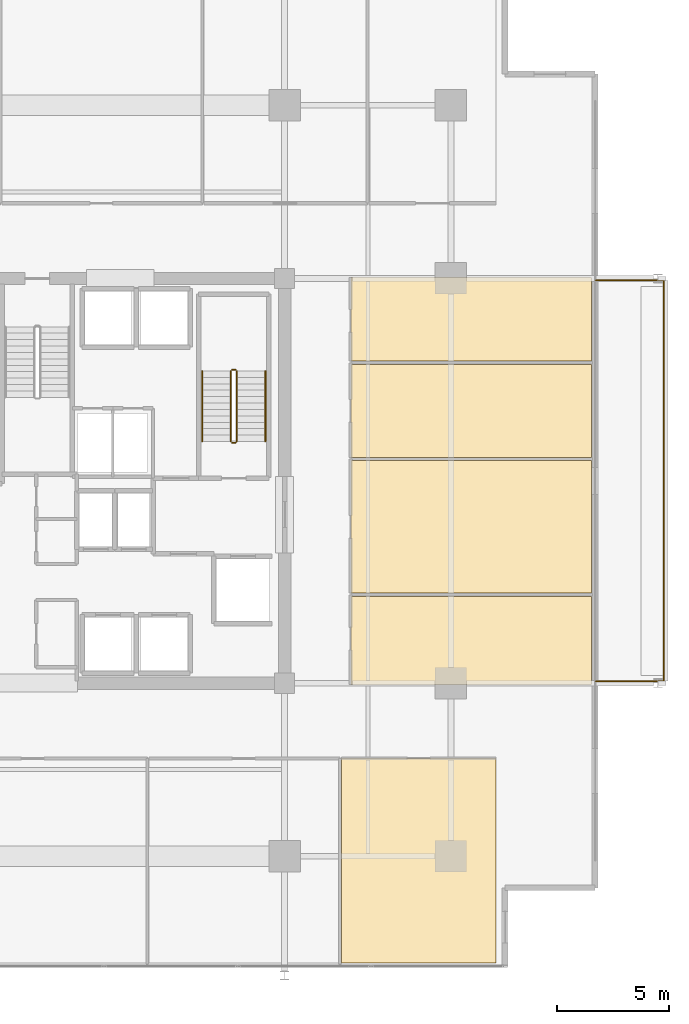
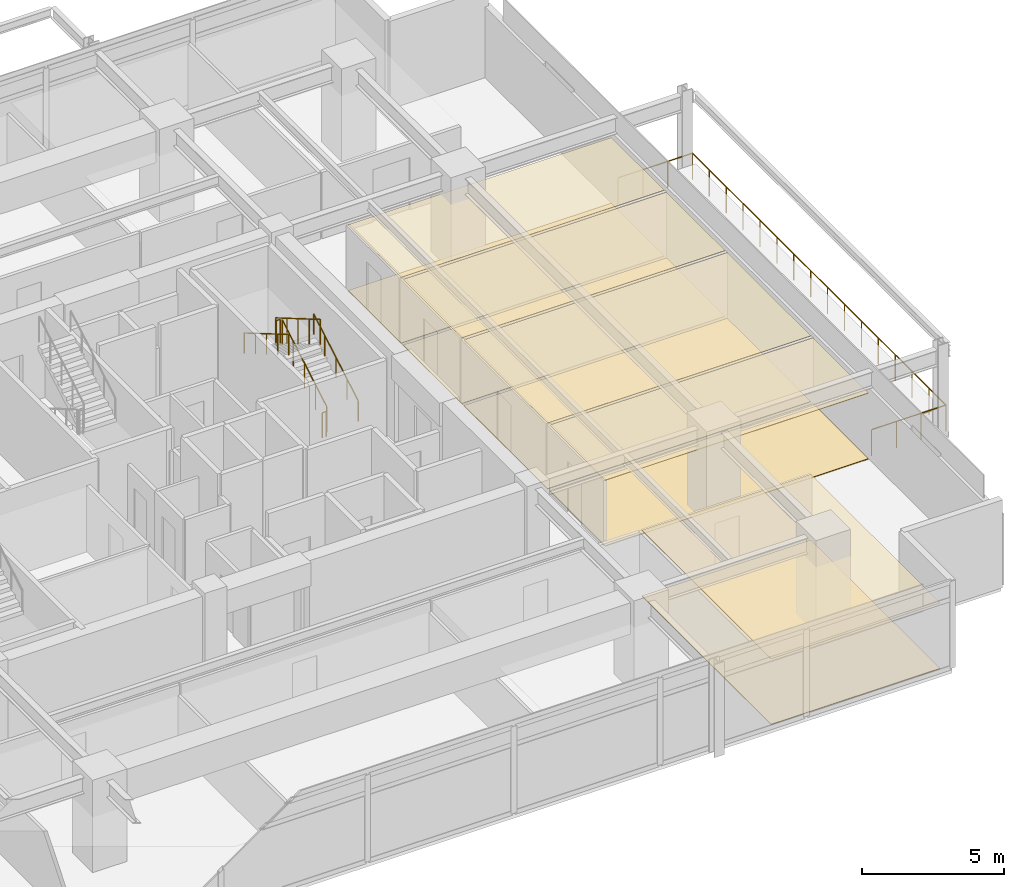
# One storey, part 20 of 21: 10 coverings, 7 railings.
"""IFC4 building model written with IfcOpenShell, lengths in metres."""

from ifc_helpers import new_model, si_unit, direction, frame, origin, origin_2d, place, context, subcontext, project, spatial, polyline, circle, outline, extrude, material, layer, layer_set, type_object, element, save


model = new_model("IFC4")

# Units and contexts
model_context = context("Model", 3, precision=1e-05, world=origin(), true_north=direction((0.0, 1.0)))
body_context = subcontext(model_context, "Body", "Model", "MODEL_VIEW")
ifc_project = project(units=[si_unit("LENGTHUNIT", "METRE"), si_unit("AREAUNIT", "SQUARE_METRE"), si_unit("VOLUMEUNIT", "CUBIC_METRE"), si_unit("PLANEANGLEUNIT", "RADIAN"), si_unit("MASSUNIT", "GRAM", prefix="KILO")], contexts=[model_context])

# Site, building, storey
site_placement = place(None, origin())
site = spatial("IfcSite", under=ifc_project, at=site_placement, CompositionType="ELEMENT")
building_placement = place(site_placement, origin())
building = spatial("IfcBuilding", under=site, at=building_placement, Name="Kovane Verandah Tower", CompositionType="ELEMENT")
storey_placement = place(building_placement, frame((0.0, 0.0, 205.199951171875)))
storey = spatial("IfcBuildingStorey", under=building, at=storey_placement, Name="L47", CompositionType="ELEMENT", Elevation=205.199951171875)

# Coverings
ifc_material_1 = material(Name="Perforated Acoustic Mineral-Fibre Ceiling Tile", Category="gypsum")
ifc_layer_1 = layer(ifc_material_1, 0.02490234375)
ifc_layer_set_1 = layer_set([ifc_layer_1], Name="Perforated Acoustic Mineral-Fibre Ceiling Tile")
covering_type_1 = type_object("IfcCoveringType", Name="CV-CEIL-25", PredefinedType="CEILING", material=ifc_layer_set_1)
covering_1_placement = place(storey_placement, frame((0.0, 0.0, 2.824951171875)))
element("IfcCovering", 1, at=covering_1_placement, inside=storey, type_object=covering_type_1, Name="L47 Document and Print Room S5 Acoustic Ceiling", PredefinedType="CEILING", context=body_context, shape_type="SweptSolid", body=[
    extrude(outline(polyline([(53.533935546875, 6.050048828125), (60.39990234375, 6.050048828125), (60.39990234375, 15.14990234375), (53.533935546875, 15.14990234375), (53.533935546875, 6.050048828125)])), origin(), (0.0, 0.0, 1.0), 0.025146484375),
])
covering_2_placement = place(storey_placement, frame((0.0, 0.0, 2.824951171875)))
element("IfcCovering", 2, at=covering_2_placement, inside=storey, type_object=covering_type_1, Name="L47 Meeting Room E1 Acoustic Ceiling", PredefinedType="CEILING", context=body_context, shape_type="SweptSolid", body=[
    extrude(outline(polyline([(53.949951171875, 18.449951171875), (64.64990234375, 18.449951171875), (64.64990234375, 22.362060546875), (53.949951171875, 22.362060546875), (53.949951171875, 18.449951171875)])), origin(), (0.0, 0.0, 1.0), 0.025146484375),
])
covering_3_placement = place(storey_placement, frame((0.0, 0.0, 2.824951171875)))
element("IfcCovering", 3, at=covering_3_placement, inside=storey, type_object=covering_type_1, Name="L47 Focus Studio E2 Acoustic Ceiling", PredefinedType="CEILING", context=body_context, shape_type="SweptSolid", body=[
    extrude(outline(polyline([(53.949951171875, 22.501953125), (64.64990234375, 22.501953125), (64.64990234375, 28.39990234375), (53.949951171875, 28.39990234375), (53.949951171875, 22.501953125)])), origin(), (0.0, 0.0, 1.0), 0.025146484375),
])
covering_4_placement = place(storey_placement, frame((0.0, 0.0, 2.824951171875)))
element("IfcCovering", 4, at=covering_4_placement, inside=storey, type_object=covering_type_1, Name="L47 Breakout Pantry E3 Acoustic Ceiling", PredefinedType="CEILING", context=body_context, shape_type="SweptSolid", body=[
    extrude(outline(polyline([(53.949951171875, 28.5400390625), (64.64990234375, 28.5400390625), (64.64990234375, 32.678955078125), (53.949951171875, 32.678955078125), (53.949951171875, 28.5400390625)])), origin(), (0.0, 0.0, 1.0), 0.025146484375),
])
covering_5_placement = place(storey_placement, frame((0.0, 0.0, 2.824951171875)))
element("IfcCovering", 5, at=covering_5_placement, inside=storey, type_object=covering_type_1, Name="L47 Collaboration Hub E4 Acoustic Ceiling", PredefinedType="CEILING", context=body_context, shape_type="SweptSolid", body=[
    extrude(outline(polyline([(53.949951171875, 32.819091796875), (64.64990234375, 32.819091796875), (64.64990234375, 36.550048828125), (53.949951171875, 36.550048828125), (53.949951171875, 32.819091796875)])), origin(), (0.0, 0.0, 1.0), 0.025146484375),
])
ifc_material_2 = material(Name="Polished Terrazzo and Raised-Access Carpet Tile Finish", Category="concrete")
ifc_layer_2 = layer(ifc_material_2, 0.030029296875)
ifc_layer_set_2 = layer_set([ifc_layer_2], Name="Polished Terrazzo and Raised-Access Carpet Tile Finish")
covering_type_2 = type_object("IfcCoveringType", Name="CV-FLOR-30", PredefinedType="FLOORING", material=ifc_layer_set_2)
covering_6_placement = place(storey_placement, origin())
element("IfcCovering", 6, at=covering_6_placement, inside=storey, type_object=covering_type_2, Name="L47 Document and Print Room S5 Floor Finish", PredefinedType="FLOORING", context=body_context, shape_type="SweptSolid", body=[
    extrude(outline(polyline([(53.533935546875, 6.050048828125), (60.39990234375, 6.050048828125), (60.39990234375, 15.14990234375), (53.533935546875, 15.14990234375), (53.533935546875, 6.050048828125)])), origin(), (0.0, 0.0, 1.0), 0.030029296875),
])
covering_7_placement = place(storey_placement, origin())
element("IfcCovering", 7, at=covering_7_placement, inside=storey, type_object=covering_type_2, Name="L47 Meeting Room E1 Floor Finish", PredefinedType="FLOORING", context=body_context, shape_type="SweptSolid", body=[
    extrude(outline(polyline([(53.949951171875, 18.449951171875), (64.64990234375, 18.449951171875), (64.64990234375, 22.362060546875), (53.949951171875, 22.362060546875), (53.949951171875, 18.449951171875)])), origin(), (0.0, 0.0, 1.0), 0.030029296875),
])
covering_8_placement = place(storey_placement, origin())
element("IfcCovering", 8, at=covering_8_placement, inside=storey, type_object=covering_type_2, Name="L47 Focus Studio E2 Floor Finish", PredefinedType="FLOORING", context=body_context, shape_type="SweptSolid", body=[
    extrude(outline(polyline([(53.949951171875, 22.501953125), (64.64990234375, 22.501953125), (64.64990234375, 28.39990234375), (53.949951171875, 28.39990234375), (53.949951171875, 22.501953125)])), origin(), (0.0, 0.0, 1.0), 0.030029296875),
])
covering_9_placement = place(storey_placement, origin())
element("IfcCovering", 9, at=covering_9_placement, inside=storey, type_object=covering_type_2, Name="L47 Breakout Pantry E3 Floor Finish", PredefinedType="FLOORING", context=body_context, shape_type="SweptSolid", body=[
    extrude(outline(polyline([(53.949951171875, 28.5400390625), (64.64990234375, 28.5400390625), (64.64990234375, 32.678955078125), (53.949951171875, 32.678955078125), (53.949951171875, 28.5400390625)])), origin(), (0.0, 0.0, 1.0), 0.030029296875),
])
covering_10_placement = place(storey_placement, origin())
element("IfcCovering", 10, at=covering_10_placement, inside=storey, type_object=covering_type_2, Name="L47 Collaboration Hub E4 Floor Finish", PredefinedType="FLOORING", context=body_context, shape_type="SweptSolid", body=[
    extrude(outline(polyline([(53.949951171875, 32.819091796875), (64.64990234375, 32.819091796875), (64.64990234375, 36.550048828125), (53.949951171875, 36.550048828125), (53.949951171875, 32.819091796875)])), origin(), (0.0, 0.0, 1.0), 0.030029296875),
])

# Railings
ifc_material_3 = material(Name="Laminated Glass and Pale-Champagne Stainless Balustrade", Category="glass")
railing_type_1 = type_object("IfcRailingType", Name="RL-BAL-1150", PredefinedType="BALUSTRADE", material=ifc_material_3)
railing_1_placement = place(storey_placement, frame((64.85009765625, 18.580078125, 0.0)))
element("IfcRailing", 11, at=railing_1_placement, inside=storey, type_object=railing_type_1, Name="L47 E Verandah Glass Balustrade", PredefinedType="BALUSTRADE", context=body_context, shape_type="SweptSolid", body=[
    extrude(circle(Radius=0.02392578125, at=origin_2d()), frame((0.0, 0.0, 1.1259765625), z_axis=(1.0, 0.0, 0.0), x_axis=(0.0, 1.0, 0.0)), (0.0, 0.0, 1.0), 3.02001953125),
    extrude(circle(Radius=0.02392578125, at=origin_2d()), frame((3.02001953125, 0.0, 1.1259765625), z_axis=(0.0, 1.0, 0.0), x_axis=(-1.0, 0.0, 0.0)), (0.0, 0.0, 1.0), 17.83984375),
    extrude(circle(Radius=0.02392578125, at=origin_2d()), frame((3.02001953125, 17.83984375, 1.1259765625), z_axis=(-1.0, 0.0, 0.0), x_axis=(0.0, -1.0, 0.0)), (0.0, 0.0, 1.0), 3.02001953125),
    extrude(circle(Radius=0.02099609375, at=origin_2d()), origin(), (0.0, 0.0, 1.0), 1.101806640625),
    extrude(circle(Radius=0.02099609375, at=origin_2d()), frame((1.006591796875, 0.0, 0.0)), (0.0, 0.0, 1.0), 1.101806640625),
    extrude(circle(Radius=0.02099609375, at=origin_2d()), frame((2.013427734375, 0.0, 0.0)), (0.0, 0.0, 1.0), 1.101806640625),
    extrude(circle(Radius=0.02099609375, at=origin_2d()), frame((3.02001953125, 0.0, 0.0)), (0.0, 0.0, 1.0), 1.101806640625),
    extrude(circle(Radius=0.02099609375, at=origin_2d()), frame((3.02001953125, 1.189208984375, 0.0)), (0.0, 0.0, 1.0), 1.101806640625),
    extrude(circle(Radius=0.02099609375, at=origin_2d()), frame((3.02001953125, 2.378662109375, 0.0)), (0.0, 0.0, 1.0), 1.101806640625),
    extrude(circle(Radius=0.02099609375, at=origin_2d()), frame((3.02001953125, 3.56787109375, 0.0)), (0.0, 0.0, 1.0), 1.101806640625),
    extrude(circle(Radius=0.02099609375, at=origin_2d()), frame((3.02001953125, 4.75732421875, 0.0)), (0.0, 0.0, 1.0), 1.101806640625),
    extrude(circle(Radius=0.02099609375, at=origin_2d()), frame((3.02001953125, 5.946533203125, 0.0)), (0.0, 0.0, 1.0), 1.101806640625),
    extrude(circle(Radius=0.02099609375, at=origin_2d()), frame((3.02001953125, 7.135986328125, 0.0)), (0.0, 0.0, 1.0), 1.101806640625),
    extrude(circle(Radius=0.02099609375, at=origin_2d()), frame((3.02001953125, 8.3251953125, 0.0)), (0.0, 0.0, 1.0), 1.101806640625),
    extrude(circle(Radius=0.02099609375, at=origin_2d()), frame((3.02001953125, 9.5146484375, 0.0)), (0.0, 0.0, 1.0), 1.101806640625),
    extrude(circle(Radius=0.02099609375, at=origin_2d()), frame((3.02001953125, 10.703857421875, 0.0)), (0.0, 0.0, 1.0), 1.101806640625),
    extrude(circle(Radius=0.02099609375, at=origin_2d()), frame((3.02001953125, 11.893310546875, 0.0)), (0.0, 0.0, 1.0), 1.101806640625),
    extrude(circle(Radius=0.02099609375, at=origin_2d()), frame((3.02001953125, 13.08251953125, 0.0)), (0.0, 0.0, 1.0), 1.101806640625),
    extrude(circle(Radius=0.02099609375, at=origin_2d()), frame((3.02001953125, 14.27197265625, 0.0)), (0.0, 0.0, 1.0), 1.101806640625),
    extrude(circle(Radius=0.02099609375, at=origin_2d()), frame((3.02001953125, 15.461181640625, 0.0)), (0.0, 0.0, 1.0), 1.101806640625),
    extrude(circle(Radius=0.02099609375, at=origin_2d()), frame((3.02001953125, 16.650634765625, 0.0)), (0.0, 0.0, 1.0), 1.101806640625),
    extrude(circle(Radius=0.02099609375, at=origin_2d()), frame((3.02001953125, 17.83984375, 0.0)), (0.0, 0.0, 1.0), 1.101806640625),
    extrude(circle(Radius=0.02099609375, at=origin_2d()), frame((2.013427734375, 17.83984375, 0.0)), (0.0, 0.0, 1.0), 1.101806640625),
    extrude(circle(Radius=0.02099609375, at=origin_2d()), frame((1.006591796875, 17.83984375, 0.0)), (0.0, 0.0, 1.0), 1.101806640625),
    extrude(circle(Radius=0.02099609375, at=origin_2d()), frame((0.0, 17.83984375, 0.0)), (0.0, 0.0, 1.0), 1.101806640625),
])
ifc_material_4 = material(Name="Brushed Stainless Steel Handrail", Category="steel")
railing_type_2 = type_object("IfcRailingType", Name="RL-HAND-920", PredefinedType="HANDRAIL", material=ifc_material_4)
railing_2_placement = place(storey_placement, frame((50.14990234375, 29.25, 0.166748046875)))
element("IfcRailing", 12, at=railing_2_placement, inside=storey, type_object=railing_type_2, Name="L47 ST-02 stair handrail 1", PredefinedType="HANDRAIL", context=body_context, shape_type="SweptSolid", body=[
    extrude(circle(Radius=0.02392578125, at=origin_2d()), frame((0.0, 0.0, 0.8759765625), z_axis=(0.0, 0.863239559939, 0.504794475164), x_axis=(-1.0, 0.0, 0.0)), (0.0, 0.0, 1.0), 3.631591796875),
    extrude(circle(Radius=0.02099609375, at=origin_2d()), origin(), (0.0, 0.0, 1.0), 0.851806640625),
    extrude(circle(Radius=0.02099609375, at=origin_2d()), frame((0.0, 0.78369140625, 0.458251953125)), (0.0, 0.0, 1.0), 0.851806640625),
    extrude(circle(Radius=0.02099609375, at=origin_2d()), frame((0.0, 1.5673828125, 0.91650390625)), (0.0, 0.0, 1.0), 0.851806640625),
    extrude(circle(Radius=0.02099609375, at=origin_2d()), frame((0.0, 2.351318359375, 1.375)), (0.0, 0.0, 1.0), 0.851806640625),
    extrude(circle(Radius=0.02099609375, at=origin_2d()), frame((0.0, 3.135009765625, 1.833251953125)), (0.0, 0.0, 1.0), 0.851806640625),
])
railing_3_placement = place(storey_placement, frame((47.330078125, 32.385009765625, 2.166748046875)))
element("IfcRailing", 13, at=railing_3_placement, inside=storey, type_object=railing_type_2, Name="L47 ST-02 stair handrail 2", PredefinedType="HANDRAIL", context=body_context, shape_type="SweptSolid", body=[
    extrude(circle(Radius=0.02392578125, at=origin_2d()), frame((0.0, 0.0, 0.8759765625), z_axis=(0.0, -0.863239559939, 0.504794475164), x_axis=(1.0, 0.0, 0.0)), (0.0, 0.0, 1.0), 3.631591796875),
    extrude(circle(Radius=0.02099609375, at=origin_2d()), origin(), (0.0, 0.0, 1.0), 0.851806640625),
    extrude(circle(Radius=0.02099609375, at=origin_2d()), frame((0.0, -0.78369140625, 0.458251953125)), (0.0, 0.0, 1.0), 0.851806640625),
    extrude(circle(Radius=0.02099609375, at=origin_2d()), frame((0.0, -1.5673828125, 0.91650390625)), (0.0, 0.0, 1.0), 0.851806640625),
    extrude(circle(Radius=0.02099609375, at=origin_2d()), frame((0.0, -2.351318359375, 1.375)), (0.0, 0.0, 1.0), 0.851806640625),
    extrude(circle(Radius=0.02099609375, at=origin_2d()), frame((0.0, -3.135009765625, 1.833251953125)), (0.0, 0.0, 1.0), 0.851806640625),
])
ifc_material_5 = material(Name="Painted Steel Stairwell Guardrail", Category="steel")
railing_type_3 = type_object("IfcRailingType", Name="RL-STGUARD-1120", PredefinedType="GUARDRAIL", material=ifc_material_5)
railing_4_placement = place(storey_placement, frame((48.8701171875, 29.25, 0.166748046875)))
element("IfcRailing", 14, at=railing_4_placement, inside=storey, type_object=railing_type_3, Name="L47 ST-02 stair guard 1", PredefinedType="GUARDRAIL", context=body_context, shape_type="SweptSolid", body=[
    extrude(circle(Radius=0.02392578125, at=origin_2d()), frame((0.0, 0.0, 1.076171875), z_axis=(0.0, 0.863239559939, 0.504794475164), x_axis=(-1.0, 0.0, 0.0)), (0.0, 0.0, 1.0), 3.631591796875),
    extrude(circle(Radius=0.02099609375, at=origin_2d()), origin(), (0.0, 0.0, 1.0), 1.052001953125),
    extrude(circle(Radius=0.02099609375, at=origin_2d()), frame((0.0, 0.78369140625, 0.458251953125)), (0.0, 0.0, 1.0), 1.052001953125),
    extrude(circle(Radius=0.02099609375, at=origin_2d()), frame((0.0, 1.5673828125, 0.91650390625)), (0.0, 0.0, 1.0), 1.052001953125),
    extrude(circle(Radius=0.02099609375, at=origin_2d()), frame((0.0, 2.351318359375, 1.375)), (0.0, 0.0, 1.0), 1.052001953125),
    extrude(circle(Radius=0.02099609375, at=origin_2d()), frame((0.0, 3.135009765625, 1.833251953125)), (0.0, 0.0, 1.0), 1.052001953125),
])
railing_5_placement = place(storey_placement, frame((48.820068359375, 32.43505859375, 2.0)))
element("IfcRailing", 15, at=railing_5_placement, inside=storey, type_object=railing_type_3, Name="L47 ST-02 stair guard 2", PredefinedType="GUARDRAIL", context=body_context, shape_type="SweptSolid", body=[
    extrude(circle(Radius=0.02392578125, at=origin_2d()), frame((0.0, 0.0, 1.076171875), z_axis=(-1.0, 0.0, 0.0), x_axis=(0.0, -1.0, 0.0)), (0.0, 0.0, 1.0), 0.16015625),
    extrude(circle(Radius=0.02099609375, at=origin_2d()), origin(), (0.0, 0.0, 1.0), 1.052001953125),
    extrude(circle(Radius=0.02099609375, at=origin_2d()), frame((-0.16015625, 0.0, 0.0)), (0.0, 0.0, 1.0), 1.052001953125),
])
railing_6_placement = place(storey_placement, frame((48.610107421875, 32.385009765625, 2.166748046875)))
element("IfcRailing", 16, at=railing_6_placement, inside=storey, type_object=railing_type_3, Name="L47 ST-02 stair guard 3", PredefinedType="GUARDRAIL", context=body_context, shape_type="SweptSolid", body=[
    extrude(circle(Radius=0.02392578125, at=origin_2d()), frame((0.0, 0.0, 1.076171875), z_axis=(0.0, -0.863239559939, 0.504794475164), x_axis=(1.0, 0.0, 0.0)), (0.0, 0.0, 1.0), 3.631591796875),
    extrude(circle(Radius=0.02099609375, at=origin_2d()), origin(), (0.0, 0.0, 1.0), 1.052001953125),
    extrude(circle(Radius=0.02099609375, at=origin_2d()), frame((0.0, -0.78369140625, 0.458251953125)), (0.0, 0.0, 1.0), 1.052001953125),
    extrude(circle(Radius=0.02099609375, at=origin_2d()), frame((0.0, -1.5673828125, 0.91650390625)), (0.0, 0.0, 1.0), 1.052001953125),
    extrude(circle(Radius=0.02099609375, at=origin_2d()), frame((0.0, -2.351318359375, 1.375)), (0.0, 0.0, 1.0), 1.052001953125),
    extrude(circle(Radius=0.02099609375, at=origin_2d()), frame((0.0, -3.135009765625, 1.833251953125)), (0.0, 0.0, 1.0), 1.052001953125),
])
railing_7_placement = place(storey_placement, frame((48.820068359375, 29.199951171875, 0.0)))
element("IfcRailing", 17, at=railing_7_placement, inside=storey, type_object=railing_type_3, Name="L47 ST-02 stair guard 4", PredefinedType="GUARDRAIL", context=body_context, shape_type="SweptSolid", body=[
    extrude(circle(Radius=0.02392578125, at=origin_2d()), frame((0.0, 0.0, 1.076171875), z_axis=(-1.0, 0.0, 0.0), x_axis=(0.0, -1.0, 0.0)), (0.0, 0.0, 1.0), 0.16015625),
    extrude(circle(Radius=0.02099609375, at=origin_2d()), origin(), (0.0, 0.0, 1.0), 1.052001953125),
    extrude(circle(Radius=0.02099609375, at=origin_2d()), frame((-0.16015625, 0.0, 0.0)), (0.0, 0.0, 1.0), 1.052001953125),
])

save(model, "model.ifc")
